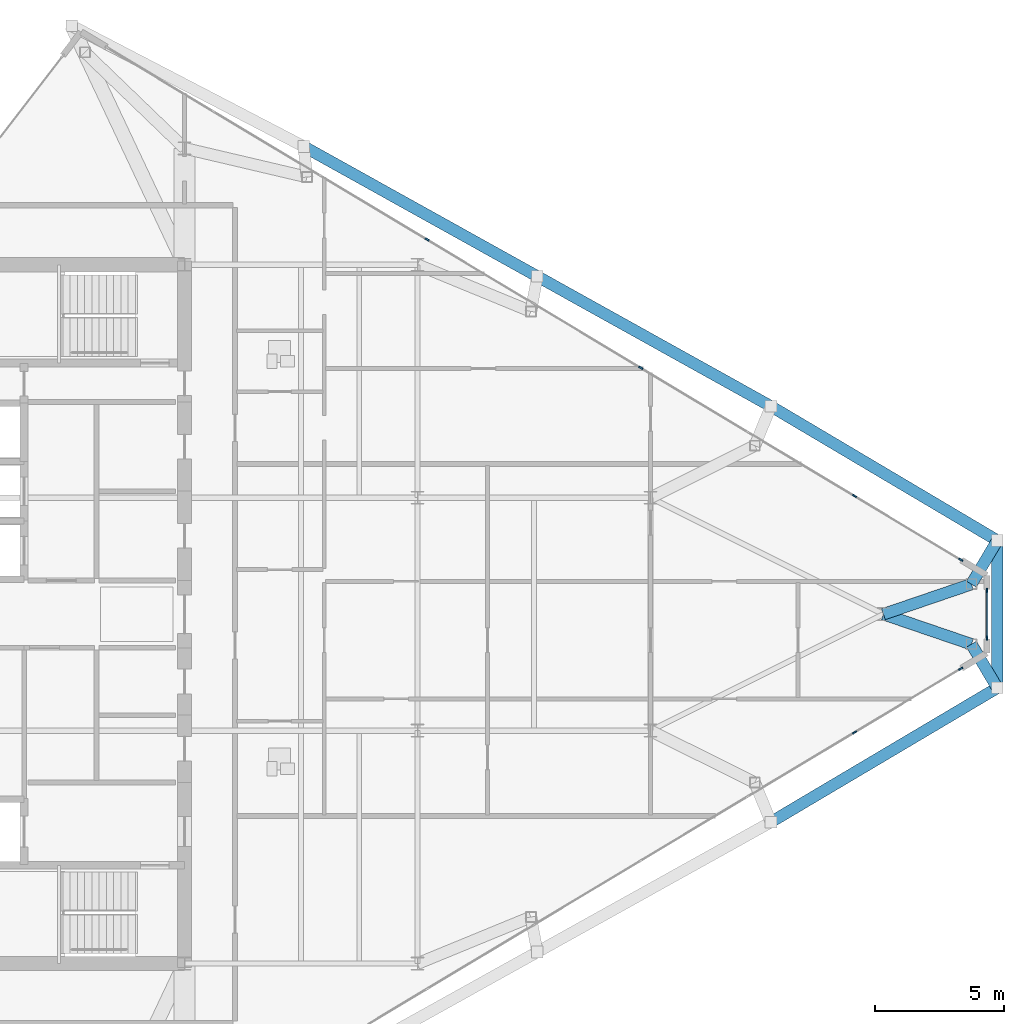
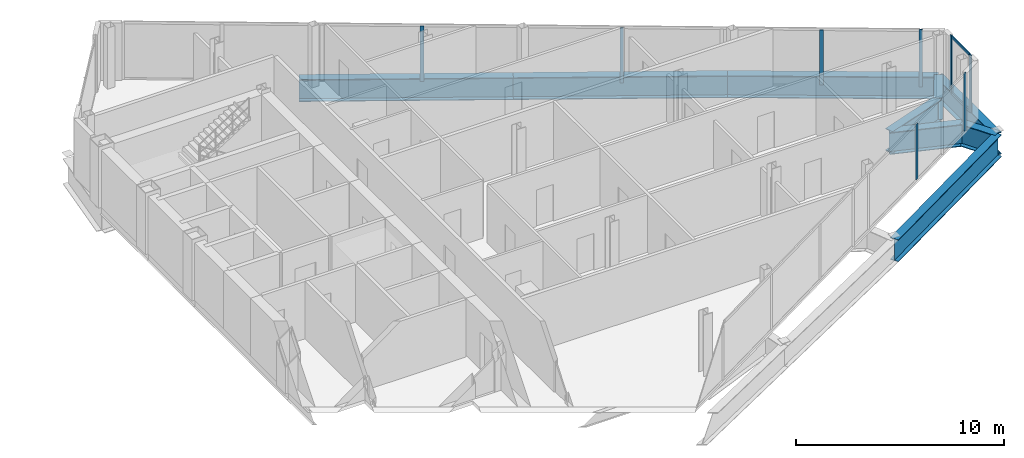
# One storey, part 19 of 29: 10 members, 9 beams, 3 elements without a shape of their own.
"""IFC4 building model written with IfcOpenShell, lengths in metres."""

from ifc_helpers import new_model, si_unit, direction, frame, origin, origin_2d, place, context, subcontext, project, spatial, rectangle, i_section, extrude, source, transform, mapped, material, layer, layer_set, material_profile, profile_set, type_object, type_shapes, element, aggregate, save


model = new_model("IFC4")

# Units and contexts
model_context = context("Model", 3, precision=1e-05, world=origin(), true_north=direction((0.0, 1.0)))
body_context = subcontext(model_context, "Body", "Model", "MODEL_VIEW")
ifc_project = project(units=[si_unit("LENGTHUNIT", "METRE"), si_unit("AREAUNIT", "SQUARE_METRE"), si_unit("VOLUMEUNIT", "CUBIC_METRE"), si_unit("PLANEANGLEUNIT", "RADIAN"), si_unit("MASSUNIT", "GRAM", prefix="KILO")], contexts=[model_context])

# Site, building, storey
site_placement = place(None, origin())
site = spatial("IfcSite", under=ifc_project, at=site_placement, CompositionType="ELEMENT")
building_placement = place(site_placement, origin())
building = spatial("IfcBuilding", under=site, at=building_placement, Name="Seokmaru Belvedere", CompositionType="ELEMENT")
storey_placement = place(building_placement, frame((0.0, 0.0, 195.89990234375)))
storey = spatial("IfcBuildingStorey", under=building, at=storey_placement, Name="L52", CompositionType="ELEMENT", Elevation=195.89990234375)

# Beams
ifc_material_1 = material(Name="Steel HSA650 (650 MPa)", Category="steel")
ifc_material_profile_1 = material_profile(ifc_material_1, i_section(OverallWidth=0.449951171875, OverallDepth=1.300048828125, WebThickness=0.02197265625, FlangeThickness=0.0380859375, at=origin_2d()), Name="BH-1300x450x22x38")
ifc_profile_set_1 = profile_set([ifc_material_profile_1], Name="Steel HSA650 (650 MPa)")
beam_type = type_object("IfcBeamType", Name="Observatory Long-Span Roof Girder BH-1300", PredefinedType="BEAM", material=ifc_profile_set_1)
shared_shape_1 = source(origin(), body_context, "Body", "SweptSolid", [
    extrude(i_section(OverallWidth=0.449951171875, OverallDepth=1.300048828125, WebThickness=0.02197265625, FlangeThickness=0.0380859375, at=origin_2d()), origin(), (0.0, 0.0, 1.0), 10.327392578125),
])
for number, where, z_axis, x_axis, name in (
    (1, (41.103759765625, 18.07080078125, -0.869873046875), (0.873924120588, -0.486062374037, 0.0), (0.486062374037, 0.873924120588, 0.0), "L52 E Faceted Flank Spandrel N-2"),
    (2, (50.129150390625, 13.051025390625, -0.869873046875), (0.873934162361, -0.48604431882, 0.0), (0.48604431882, 0.873934162361, 0.0), "L52 E Faceted Flank Spandrel N-3"),
):
    element("IfcBeam", number, at=place(storey_placement, frame(where, z_axis=z_axis, x_axis=x_axis)), inside=storey, type_object=beam_type, Name=name, PredefinedType="BEAM", context=body_context, shape_type="MappedRepresentation", body=[
        mapped(shared_shape_1, transform((0.0, 0.0, 0.0), scale=1.0)),
    ])
shared_shape_2 = source(origin(), body_context, "Body", "SweptSolid", [
    extrude(i_section(OverallWidth=0.449951171875, OverallDepth=1.300048828125, WebThickness=0.02197265625, FlangeThickness=0.0380859375, at=origin_2d()), origin(), (0.0, 0.0, 1.0), 10.16650390625),
])
for number, where, z_axis, x_axis, name in (
    (3, (59.154541015625, -8.031494140625, -0.869873046875), (0.860209996506, 0.509939959124, 0.0), (-0.509939959124, 0.860209996506, 0.0), "L52 E Faceted Flank Spandrel S-4"),
    (4, (59.154541015625, 8.031494140625, -0.869873046875), (0.860209996506, -0.509939959124, 0.0), (0.509939959124, 0.860209996506, 0.0), "L52 E Faceted Flank Spandrel N-4"),
):
    element("IfcBeam", number, at=place(storey_placement, frame(where, z_axis=z_axis, x_axis=x_axis)), inside=storey, type_object=beam_type, Name=name, PredefinedType="BEAM", context=body_context, shape_type="MappedRepresentation", body=[
        mapped(shared_shape_2, transform((0.0, 0.0, 0.0), scale=1.0)),
    ])
shared_shape_3 = source(origin(), body_context, "Body", "SweptSolid", [
    extrude(i_section(OverallWidth=0.449951171875, OverallDepth=1.300048828125, WebThickness=0.02197265625, FlangeThickness=0.0380859375, at=origin_2d()), origin(), (0.0, 0.0, 1.0), 5.6943359375),
])
beam_placement = place(storey_placement, frame((67.89990234375, -2.84716796875, -0.869873046875), z_axis=(0.0, 1.0, 0.0), x_axis=(-1.0, 0.0, 0.0)))
element("IfcBeam", 5, at=beam_placement, inside=storey, type_object=beam_type, Name="L52 E Faceted Apex Spandrel", PredefinedType="BEAM", context=body_context, shape_type="MappedRepresentation", body=[
    mapped(shared_shape_3, transform((0.0, 0.0, 0.0), scale=1.0)),
])
shared_shape_4 = source(origin(), body_context, "Body", "SweptSolid", [
    extrude(i_section(OverallWidth=0.449951171875, OverallDepth=1.300048828125, WebThickness=0.02197265625, FlangeThickness=0.0380859375, at=origin_2d()), origin(), (0.0, 0.0, 1.0), 1.9609375),
])
for number, where, z_axis, x_axis, name in (
    (6, (67.89990234375, -2.84716796875, -0.869873046875), (-0.509966194756, 0.860194443254, 0.0), (-0.860194443254, -0.509966194756, 0.0), "L52 E Setback Transfer Girder 2"),
    (7, (67.89990234375, 2.84716796875, -0.869873046875), (-0.509966194756, -0.860194443254, 0.0), (0.860194443254, -0.509966194756, 0.0), "L52 E Setback Transfer Girder 3"),
):
    element("IfcBeam", number, at=place(storey_placement, frame(where, z_axis=z_axis, x_axis=x_axis)), inside=storey, type_object=beam_type, Name=name, PredefinedType="BEAM", context=body_context, shape_type="MappedRepresentation", body=[
        mapped(shared_shape_4, transform((0.0, 0.0, 0.0), scale=1.0)),
    ])
shared_shape_5 = source(origin(), body_context, "Body", "SweptSolid", [
    extrude(i_section(OverallWidth=0.449951171875, OverallDepth=1.300048828125, WebThickness=0.02197265625, FlangeThickness=0.0380859375, at=origin_2d()), origin(), (0.0, 0.0, 1.0), 3.592529296875),
])
type_shapes(beam_type, [shared_shape_1, shared_shape_2, shared_shape_3, shared_shape_4, shared_shape_5])
for number, where, z_axis, x_axis, name in (
    (8, (66.89990234375, -1.160400390625, -0.869873046875), (-0.946395973048, 0.323008764893, 0.0), (-0.323008764893, -0.946395973048, 0.0), "L52 E Apex Sanity Tie Girder 2"),
    (9, (66.89990234375, 1.160400390625, -0.869873046875), (-0.946395973048, -0.323008764893, 0.0), (0.323008764893, -0.946395973048, 0.0), "L52 E Apex Sanity Tie Girder 3"),
):
    element("IfcBeam", number, at=place(storey_placement, frame(where, z_axis=z_axis, x_axis=x_axis)), inside=storey, type_object=beam_type, Name=name, PredefinedType="BEAM", context=body_context, shape_type="MappedRepresentation", body=[
        mapped(shared_shape_5, transform((0.0, 0.0, 0.0), scale=1.0)),
    ])

# Curtain wall, member
ifc_material_2 = material(Name="Bronze Triple Insulating Glass", Category="glass")
ifc_layer = layer(ifc_material_2, 0.179931640625)
ifc_layer_set = layer_set([ifc_layer], Name="Bronze Triple Insulating Glass")
curtain_wall_type = type_object("IfcCurtainWallType", Name="High-Rise Wind-Corner Curtain Wall System CW-5", PredefinedType="NOTDEFINED", material=ifc_layer_set)
curtain_wall_1_placement = place(storey_placement, origin())
curtain_wall_1 = element("IfcCurtainWall", 10, at=curtain_wall_1_placement, inside=storey, type_object=curtain_wall_type, Name="L52 Curtain Wall EF1", PredefinedType="NOTDEFINED")
ifc_material_3 = material(Name="Anodised Bronze Aluminium", Category="aluminium")
ifc_material_profile_2 = material_profile(ifc_material_3, rectangle(XDim=0.06494140625, YDim=0.179931640625, at=origin_2d()), Name="CW-M-65x180")
ifc_profile_set_2 = profile_set([ifc_material_profile_2], Name="Anodised Bronze Aluminium")
member_type_1 = type_object("IfcMemberType", Name="Bronze Unitised Mullion 65x180", PredefinedType="MULLION", material=ifc_profile_set_2)
shared_shape_6 = source(origin(), body_context, "Body", "SweptSolid", [
    extrude(rectangle(XDim=0.06494140625, YDim=0.179931640625, at=origin_2d()), origin(), (0.0, 0.0, 1.0), 3.25),
])
member_1_placement = place(storey_placement, frame((62.385498046875, -4.56884765625, 0.065185546875), z_axis=(0.0, 0.0, 1.0), x_axis=(-0.514494909364, 0.85749343335, 0.0)))
member_1 = element("IfcMember", 11, at=member_1_placement, type_object=member_type_1, Name="CW:L52:EF1 Mullion 8", PredefinedType="MULLION", context=body_context, shape_type="MappedRepresentation", body=[
    mapped(shared_shape_6, transform((0.0, 0.0, 0.0), scale=1.0)),
])

# Curtain wall, members
curtain_wall_2_placement = place(storey_placement, origin())
curtain_wall_2 = element("IfcCurtainWall", 12, at=curtain_wall_2_placement, inside=storey, type_object=curtain_wall_type, Name="L52 Curtain Wall EF3", PredefinedType="NOTDEFINED")
member_2_placement = place(storey_placement, frame((62.385498046875, 4.56884765625, 0.065185546875), z_axis=(0.0, 0.0, 1.0), x_axis=(-0.514494909364, -0.85749343335, 0.0)))
member_2 = element("IfcMember", 13, at=member_2_placement, type_object=member_type_1, Name="CW:L52:EF3 Mullion 2", PredefinedType="MULLION", context=body_context, shape_type="MappedRepresentation", body=[
    mapped(shared_shape_6, transform((0.0, 0.0, 0.0), scale=1.0)),
])
member_3_placement = place(storey_placement, frame((54.12841796875, 9.52294921875, 0.065185546875), z_axis=(0.0, 0.0, 1.0), x_axis=(-0.514494909364, -0.85749343335, 0.0)))
member_3 = element("IfcMember", 14, at=member_3_placement, type_object=member_type_1, Name="CW:L52:EF3 Mullion 4", PredefinedType="MULLION", context=body_context, shape_type="MappedRepresentation", body=[
    mapped(shared_shape_6, transform((0.0, 0.0, 0.0), scale=1.0)),
])
member_4_placement = place(storey_placement, frame((45.87158203125, 14.47705078125, 0.065185546875), z_axis=(0.0, 0.0, 1.0), x_axis=(-0.514494909364, -0.85749343335, 0.0)))
member_4 = element("IfcMember", 15, at=member_4_placement, type_object=member_type_1, Name="CW:L52:EF3 Mullion 6", PredefinedType="MULLION", context=body_context, shape_type="MappedRepresentation", body=[
    mapped(shared_shape_6, transform((0.0, 0.0, 0.0), scale=1.0)),
])

# Member
shared_shape_7 = source(origin(), body_context, "Body", "SweptSolid", [
    extrude(rectangle(XDim=0.06494140625, YDim=0.179931640625, at=origin_2d()), origin(), (0.0, 0.0, 1.0), 3.380126953125),
])
type_shapes(member_type_1, [shared_shape_6, shared_shape_7])
member_5_placement = place(storey_placement, frame((66.486083984375, -2.1083984375, 0.0), z_axis=(0.0, 0.0, 1.0), x_axis=(-0.514494909364, 0.85749343335, 0.0)))
member_5 = element("IfcMember", 16, at=member_5_placement, type_object=member_type_1, Name="CW:L52:EF1 Mullion 9", PredefinedType="MULLION", context=body_context, shape_type="MappedRepresentation", body=[
    mapped(shared_shape_7, transform((0.0, 0.0, 0.0), scale=1.0)),
])

aggregate(curtain_wall_1, [member_1, member_5])

# Curtain wall, members
curtain_wall_3_placement = place(storey_placement, origin())
curtain_wall_3 = element("IfcCurtainWall", 17, at=curtain_wall_3_placement, inside=storey, type_object=curtain_wall_type, Name="L52 Curtain Wall EF2", PredefinedType="NOTDEFINED")
member_6_placement = place(storey_placement, frame((67.5, -0.91748046875, 0.0), z_axis=(0.0, 0.0, 1.0), x_axis=(-1.0, 0.0, 0.0)))
member_6 = element("IfcMember", 18, at=member_6_placement, type_object=member_type_1, Name="CW:L52:EF2 Mullion 1", PredefinedType="MULLION", context=body_context, shape_type="MappedRepresentation", body=[
    mapped(shared_shape_7, transform((0.0, 0.0, 0.0), scale=1.0)),
])
member_7_placement = place(storey_placement, frame((67.5, 0.91748046875, 0.0), z_axis=(0.0, 0.0, 1.0), x_axis=(-1.0, 0.0, 0.0)))
member_7 = element("IfcMember", 19, at=member_7_placement, type_object=member_type_1, Name="CW:L52:EF2 Mullion 2", PredefinedType="MULLION", context=body_context, shape_type="MappedRepresentation", body=[
    mapped(shared_shape_7, transform((0.0, 0.0, 0.0), scale=1.0)),
])

# Member
member_8_placement = place(storey_placement, frame((66.486083984375, 2.1083984375, 0.0), z_axis=(0.0, 0.0, 1.0), x_axis=(-0.514494909364, -0.85749343335, 0.0)))
member_8 = element("IfcMember", 20, at=member_8_placement, type_object=member_type_1, Name="CW:L52:EF3 Mullion 1", PredefinedType="MULLION", context=body_context, shape_type="MappedRepresentation", body=[
    mapped(shared_shape_7, transform((0.0, 0.0, 0.0), scale=1.0)),
])

aggregate(curtain_wall_2, [member_8, member_2, member_3, member_4])

ifc_material_profile_3 = material_profile(ifc_material_3, rectangle(XDim=0.06494140625, YDim=0.14990234375, at=origin_2d()), Name="CW-T-65x150")
ifc_profile_set_3 = profile_set([ifc_material_profile_3], Name="Anodised Bronze Aluminium")
member_type_2 = type_object("IfcMemberType", Name="Bronze Unitised Transom 65x150", PredefinedType="USERDEFINED", material=ifc_profile_set_3)
shared_shape_8 = source(origin(), body_context, "Body", "SweptSolid", [
    extrude(rectangle(XDim=0.06494140625, YDim=0.14990234375, at=origin_2d()), origin(), (0.0, 0.0, 1.0), 1.77001953125),
])
type_shapes(member_type_2, [shared_shape_8])
member_9_placement = place(storey_placement, frame((67.5, -0.885009765625, 0.03271484375), z_axis=(0.0, 1.0, 0.0), x_axis=(-1.0, 0.0, 0.0)))
member_9 = element("IfcMember", 21, at=member_9_placement, type_object=member_type_2, Name="CW:L52:EF2 Continuous Transom 1", ObjectType="TRANSOM", PredefinedType="USERDEFINED", context=body_context, shape_type="MappedRepresentation", body=[
    mapped(shared_shape_8, transform((0.0, 0.0, 0.0), scale=1.0)),
])

member_10_placement = place(storey_placement, frame((67.5, -0.885009765625, 3.34765625), z_axis=(0.0, 1.0, 0.0), x_axis=(-1.0, 0.0, 0.0)))
member_10 = element("IfcMember", 22, at=member_10_placement, type_object=member_type_2, Name="CW:L52:EF2 Continuous Transom 2", ObjectType="TRANSOM", PredefinedType="USERDEFINED", context=body_context, shape_type="MappedRepresentation", body=[
    mapped(shared_shape_8, transform((0.0, 0.0, 0.0), scale=1.0)),
])

aggregate(curtain_wall_3, [member_6, member_7, member_9, member_10])

save(model, "model.ifc")
